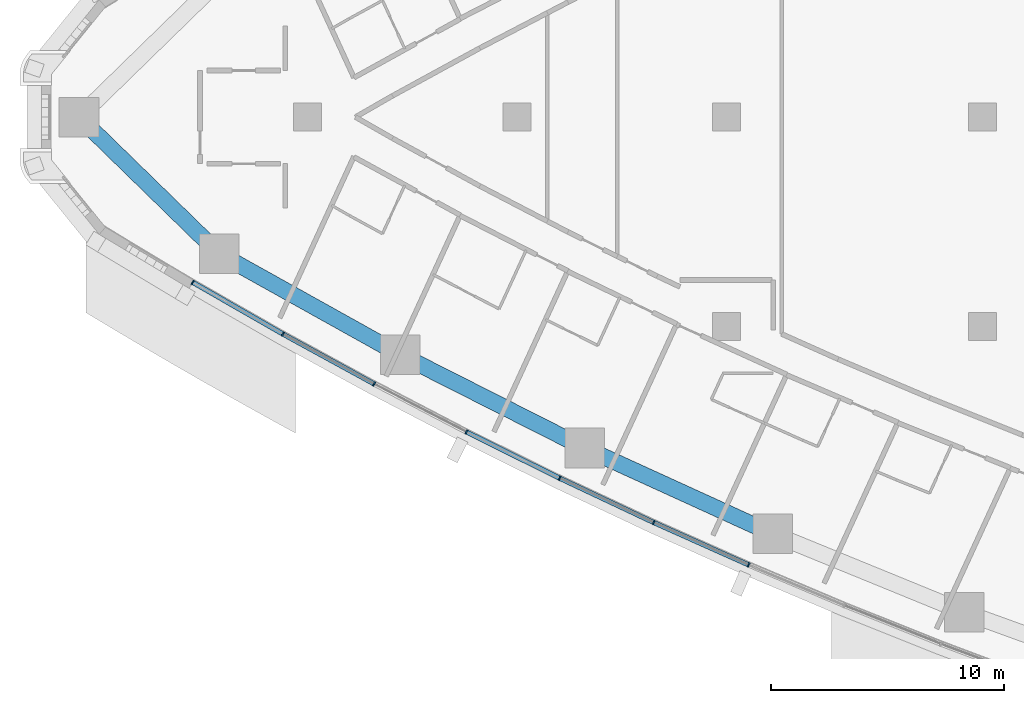
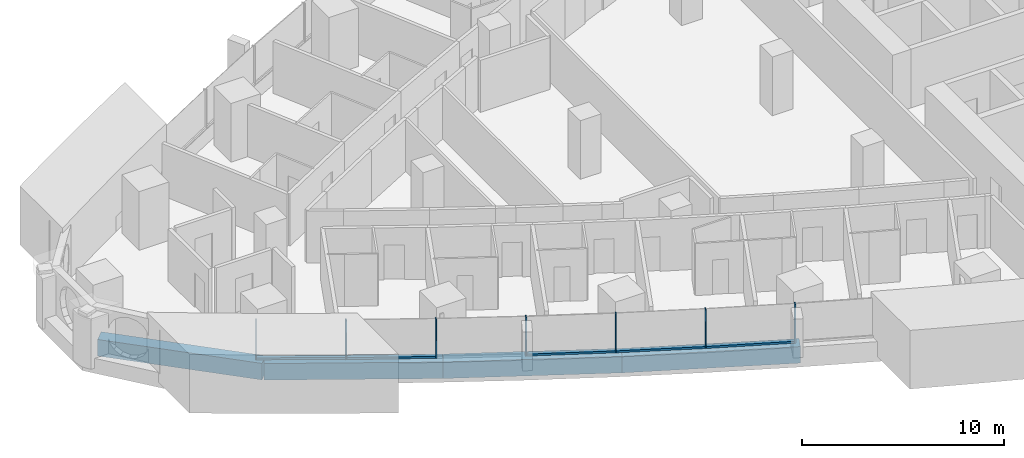
# One storey, part 2 of 17: 12 members, 4 beams, 3 elements without a shape of their own.
"""IFC4 building model written with IfcOpenShell, lengths in metres."""

from ifc_helpers import new_model, si_unit, direction, frame, origin, origin_2d, place, context, subcontext, project, spatial, rectangle, extrude, material, layer, layer_set, material_profile, profile_set, type_object, element, aggregate, save


model = new_model("IFC4")

# Units and contexts
model_context = context("Model", 3, precision=1e-05, world=origin(), true_north=direction((0.0, 1.0)))
body_context = subcontext(model_context, "Body", "Model", "MODEL_VIEW")
ifc_project = project(units=[si_unit("LENGTHUNIT", "METRE"), si_unit("AREAUNIT", "SQUARE_METRE"), si_unit("VOLUMEUNIT", "CUBIC_METRE"), si_unit("PLANEANGLEUNIT", "RADIAN"), si_unit("MASSUNIT", "GRAM", prefix="KILO")], contexts=[model_context])

# Site, building, storey
site_placement = place(None, origin())
site = spatial("IfcSite", under=ifc_project, at=site_placement, CompositionType="ELEMENT")
building_placement = place(site_placement, origin())
building = spatial("IfcBuilding", under=site, at=building_placement, Name="Ostrand Prow Hotel Tower", CompositionType="ELEMENT")
storey_placement = place(building_placement, frame((0.0, 0.0, 116.85009765625)))
storey = spatial("IfcBuildingStorey", under=building, at=storey_placement, Name="L28", CompositionType="ELEMENT", Elevation=116.85009765625)

# Beams
ifc_material_1 = material(Name="Concrete C80/95", Category="concrete")
ifc_material_profile_1 = material_profile(ifc_material_1, rectangle(XDim=0.699951171875, YDim=1.0, at=origin_2d()), Name="RC 700x1000")
ifc_profile_set_1 = profile_set([ifc_material_profile_1], Name="Concrete C80/95")
beam_type = type_object("IfcBeamType", Name="Edge beam 700x1000 C80/95", PredefinedType="SPANDREL", material=ifc_profile_set_1)
beam_1_placement = place(storey_placement, frame((6.193115234375, 0.0, -0.800048828125), z_axis=(0.716082759826, -0.698015387423, 0.0), x_axis=(0.698015387423, 0.716082759826, 0.0)))
element("IfcBeam", 1, at=beam_1_placement, inside=storey, type_object=beam_type, Name="Edge beam P-S1", PredefinedType="SPANDREL", context=body_context, shape_type="SweptSolid", body=[
    extrude(rectangle(XDim=0.699951171875, YDim=1.0, at=origin_2d()), origin(), (0.0, 0.0, 1.0), 8.41845703125),
])
beam_2_placement = place(storey_placement, frame((12.221435546875, -5.876220703125, -0.800048828125), z_axis=(0.873452439955, -0.486909473245, 0.0), x_axis=(0.486909473245, 0.873452439955, 0.0)))
element("IfcBeam", 2, at=beam_2_placement, inside=storey, type_object=beam_type, Name="Edge beam S1-S2", PredefinedType="SPANDREL", context=body_context, shape_type="SweptSolid", body=[
    extrude(rectangle(XDim=0.699951171875, YDim=1.0, at=origin_2d()), origin(), (0.0, 0.0, 1.0), 8.883544921875),
])
beam_3_placement = place(storey_placement, frame((19.980712890625, -10.20166015625, -0.800048828125), z_axis=(0.892284288592, -0.451473973039, 0.0), x_axis=(0.451473973039, 0.892284288592, 0.0)))
element("IfcBeam", 3, at=beam_3_placement, inside=storey, type_object=beam_type, Name="Edge beam S2-S3", PredefinedType="SPANDREL", context=body_context, shape_type="SweptSolid", body=[
    extrude(rectangle(XDim=0.699951171875, YDim=1.0, at=origin_2d()), origin(), (0.0, 0.0, 1.0), 8.883056640625),
])
beam_4_placement = place(storey_placement, frame((27.906982421875, -14.212158203125, -0.800048828125), z_axis=(0.909681006953, -0.415307675813, 0.0), x_axis=(0.415307675813, 0.909681006953, 0.0)))
element("IfcBeam", 4, at=beam_4_placement, inside=storey, type_object=beam_type, Name="Edge beam S3-S4", PredefinedType="SPANDREL", context=body_context, shape_type="SweptSolid", body=[
    extrude(rectangle(XDim=0.699951171875, YDim=1.0, at=origin_2d()), origin(), (0.0, 0.0, 1.0), 8.883544921875),
])

# Curtain wall, members
ifc_material_2 = material(Name="Insulated glass in bronze anodised frame", Category="glass")
ifc_layer = layer(ifc_material_2, 0.199951171875)
ifc_layer_set = layer_set([ifc_layer], Name="Insulated glass in bronze anodised frame")
curtain_wall_type = type_object("IfcCurtainWallType", Name="Strip curtain wall, fritted glass over bronze spandrel", PredefinedType="NOTDEFINED", material=ifc_layer_set)
curtain_wall_1_placement = place(storey_placement, origin())
curtain_wall_1 = element("IfcCurtainWall", 5, at=curtain_wall_1_placement, inside=storey, type_object=curtain_wall_type, Name="CW1 run CWS1", PredefinedType="NOTDEFINED")
ifc_material_3 = material(Name="Bronze anodised aluminium", Category="aluminium")
ifc_material_profile_2 = material_profile(ifc_material_3, rectangle(XDim=0.199951171875, YDim=0.06005859375, at=origin_2d()), Name="Mullion 60x200 bronze anodised aluminium")
ifc_profile_set_2 = profile_set([ifc_material_profile_2], Name="Bronze anodised aluminium")
member_type_1 = type_object("IfcMemberType", Name="Mullion 60x200 bronze anodised aluminium", PredefinedType="MULLION", material=ifc_profile_set_2)
member_1_placement = place(storey_placement, frame((11.076416015625, -7.099853515625, 0.89990234375), z_axis=(0.0, 0.0, 1.0), x_axis=(0.497114806368, 0.867684775301, 0.0)))
member_1 = element("IfcMember", 6, at=member_1_placement, type_object=member_type_1, Name="CW1 mullion 1", PredefinedType="MULLION", context=body_context, shape_type="SweptSolid", body=[
    extrude(rectangle(XDim=0.199951171875, YDim=0.06005859375, at=origin_2d()), origin(), (0.0, 0.0, 1.0), 2.35009765625),
])
member_2_placement = place(storey_placement, frame((14.951416015625, -9.320068359375, 0.89990234375), z_axis=(0.0, 0.0, 1.0), x_axis=(0.479637052103, 0.877466978439, 0.0)))
member_2 = element("IfcMember", 7, at=member_2_placement, type_object=member_type_1, Name="CW1 mullion 2", PredefinedType="MULLION", context=body_context, shape_type="SweptSolid", body=[
    extrude(rectangle(XDim=0.199951171875, YDim=0.06005859375, at=origin_2d()), origin(), (0.0, 0.0, 1.0), 2.35009765625),
])
member_3_placement = place(storey_placement, frame((18.870361328125, -11.4619140625, 0.89990234375), z_axis=(0.0, 0.0, 1.0), x_axis=(0.479637052103, 0.877466978439, 0.0)))
member_3 = element("IfcMember", 8, at=member_3_placement, type_object=member_type_1, Name="CW1 mullion 3", PredefinedType="MULLION", context=body_context, shape_type="SweptSolid", body=[
    extrude(rectangle(XDim=0.199951171875, YDim=0.06005859375, at=origin_2d()), origin(), (0.0, 0.0, 1.0), 2.35009765625),
])

curtain_wall_2_placement = place(storey_placement, origin())
curtain_wall_2 = element("IfcCurtainWall", 9, at=curtain_wall_2_placement, inside=storey, type_object=curtain_wall_type, Name="CW1 run CWS2", PredefinedType="NOTDEFINED")
member_4_placement = place(storey_placement, frame((22.831298828125, -13.525146484375, 0.89990234375), z_axis=(0.0, 0.0, 1.0), x_axis=(0.44411295748, 0.895970803653, 0.0)))
member_4 = element("IfcMember", 10, at=member_4_placement, type_object=member_type_1, Name="CW1 mullion 2", PredefinedType="MULLION", context=body_context, shape_type="SweptSolid", body=[
    extrude(rectangle(XDim=0.199951171875, YDim=0.06005859375, at=origin_2d()), origin(), (0.0, 0.0, 1.0), 2.35009765625),
])
member_5_placement = place(storey_placement, frame((26.83251953125, -15.508544921875, 0.89990234375), z_axis=(0.0, 0.0, 1.0), x_axis=(0.44411295748, 0.895970803653, 0.0)))
member_5 = element("IfcMember", 11, at=member_5_placement, type_object=member_type_1, Name="CW1 mullion 3", PredefinedType="MULLION", context=body_context, shape_type="SweptSolid", body=[
    extrude(rectangle(XDim=0.199951171875, YDim=0.06005859375, at=origin_2d()), origin(), (0.0, 0.0, 1.0), 2.35009765625),
])

curtain_wall_3_placement = place(storey_placement, origin())
curtain_wall_3 = element("IfcCurtainWall", 12, at=curtain_wall_3_placement, inside=storey, type_object=curtain_wall_type, Name="CW1 run CWS3", PredefinedType="NOTDEFINED")
member_6_placement = place(storey_placement, frame((30.872802734375, -17.41162109375, 0.89990234375), z_axis=(0.0, 0.0, 1.0), x_axis=(0.407874755419, 0.913037887435, 0.0)))
member_6 = element("IfcMember", 13, at=member_6_placement, type_object=member_type_1, Name="CW1 mullion 2", PredefinedType="MULLION", context=body_context, shape_type="SweptSolid", body=[
    extrude(rectangle(XDim=0.199951171875, YDim=0.06005859375, at=origin_2d()), origin(), (0.0, 0.0, 1.0), 2.35009765625),
])
member_7_placement = place(storey_placement, frame((34.95068359375, -19.233154296875, 0.89990234375), z_axis=(0.0, 0.0, 1.0), x_axis=(0.407874755419, 0.913037887435, 0.0)))
member_7 = element("IfcMember", 14, at=member_7_placement, type_object=member_type_1, Name="CW1 mullion 3", PredefinedType="MULLION", context=body_context, shape_type="SweptSolid", body=[
    extrude(rectangle(XDim=0.199951171875, YDim=0.06005859375, at=origin_2d()), origin(), (0.0, 0.0, 1.0), 2.35009765625),
])

# Member
ifc_material_4 = material(Name="Bronze anodised aluminium", Category="aluminium")
ifc_material_profile_3 = material_profile(ifc_material_4, rectangle(XDim=0.199951171875, YDim=0.1201171875, at=origin_2d()), Name="Transom 120x200 bronze anodised aluminium")
ifc_profile_set_3 = profile_set([ifc_material_profile_3], Name="Bronze anodised aluminium")
member_type_2 = type_object("IfcMemberType", Name="Transom 120x200 bronze anodised aluminium", PredefinedType="USERDEFINED", material=ifc_profile_set_3)
member_8_placement = place(storey_placement, frame((11.1025390625, -7.11474609375, 0.9599609375), z_axis=(0.86766970623, -0.497141107625, 0.0), x_axis=(0.497141107625, 0.86766970623, 0.0)))
member_8 = element("IfcMember", 15, at=member_8_placement, type_object=member_type_2, Name="CW1 transom 1.1", ObjectType="TRANSOM", PredefinedType="USERDEFINED", context=body_context, shape_type="SweptSolid", body=[
    extrude(rectangle(XDim=0.199951171875, YDim=0.1201171875, at=origin_2d()), origin(), (0.0, 0.0, 1.0), 4.406005859375),
])

member_9_placement = place(storey_placement, frame((14.977783203125, -9.33447265625, 0.9599609375), z_axis=(0.877471714137, -0.479628388328, 0.0), x_axis=(0.479628388328, 0.877471714137, 0.0)))
member_9 = element("IfcMember", 16, at=member_9_placement, type_object=member_type_2, Name="CW1 transom 2.1", ObjectType="TRANSOM", PredefinedType="USERDEFINED", context=body_context, shape_type="SweptSolid", body=[
    extrude(rectangle(XDim=0.199951171875, YDim=0.1201171875, at=origin_2d()), origin(), (0.0, 0.0, 1.0), 4.406005859375),
])

aggregate(curtain_wall_1, [member_1, member_2, member_3, member_8, member_9])

member_10_placement = place(storey_placement, frame((22.858154296875, -13.53857421875, 0.9599609375), z_axis=(0.895962348168, -0.444130015497, 0.0), x_axis=(0.444130015497, 0.895962348168, 0.0)))
member_10 = element("IfcMember", 17, at=member_10_placement, type_object=member_type_2, Name="CW1 transom 2.1", ObjectType="TRANSOM", PredefinedType="USERDEFINED", context=body_context, shape_type="SweptSolid", body=[
    extrude(rectangle(XDim=0.199951171875, YDim=0.1201171875, at=origin_2d()), origin(), (0.0, 0.0, 1.0), 4.406005859375),
])

aggregate(curtain_wall_2, [member_4, member_5, member_10])

member_11_placement = place(storey_placement, frame((26.859619140625, -15.521484375, 0.9599609375), z_axis=(0.904696854963, -0.42605586561, 0.0), x_axis=(0.42605586561, 0.904696854963, 0.0)))
member_11 = element("IfcMember", 18, at=member_11_placement, type_object=member_type_2, Name="CW1 transom 1.1", ObjectType="TRANSOM", PredefinedType="USERDEFINED", context=body_context, shape_type="SweptSolid", body=[
    extrude(rectangle(XDim=0.199951171875, YDim=0.1201171875, at=origin_2d()), origin(), (0.0, 0.0, 1.0), 4.406005859375),
])

member_12_placement = place(storey_placement, frame((30.900390625, -17.423583984375, 0.9599609375), z_axis=(0.913030665163, -0.407890922271, 0.0), x_axis=(0.407890922271, 0.913030665163, 0.0)))
member_12 = element("IfcMember", 19, at=member_12_placement, type_object=member_type_2, Name="CW1 transom 2.1", ObjectType="TRANSOM", PredefinedType="USERDEFINED", context=body_context, shape_type="SweptSolid", body=[
    extrude(rectangle(XDim=0.199951171875, YDim=0.1201171875, at=origin_2d()), origin(), (0.0, 0.0, 1.0), 4.40576171875),
])

aggregate(curtain_wall_3, [member_6, member_7, member_11, member_12])

save(model, "model.ifc")
